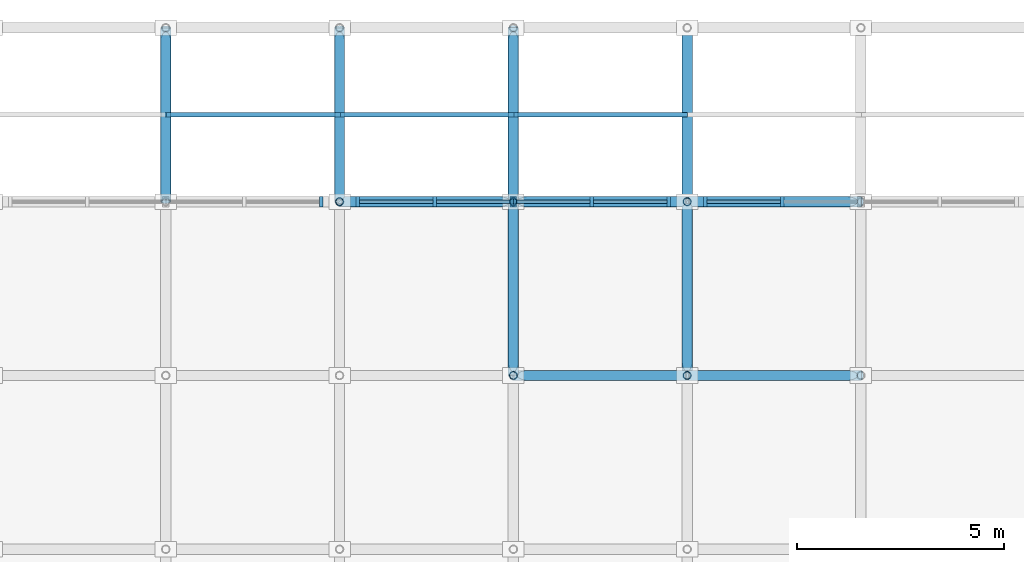
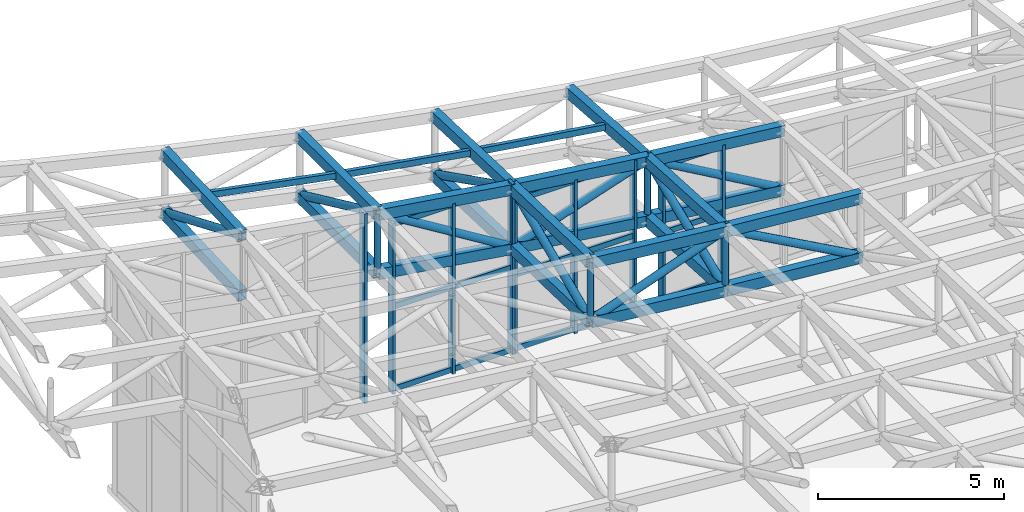
# One storey, part 34 of 111: 63 members, 4 elements without a shape of their own.
"""IFC4 building model written with IfcOpenShell, lengths in metres."""

from ifc_helpers import new_model, si_unit, direction, frame, origin, origin_2d, place, context, subcontext, project, spatial, rectangle, hollow_rectangle, hollow_circle, extrude, material, material_profile, profile_set, type_object, element, aggregate, save


model = new_model("IFC4")

# Units and contexts
model_context = context("Model", 3, precision=1e-05, world=origin(), true_north=direction((0.0, 1.0)))
body_context = subcontext(model_context, "Body", "Model", "MODEL_VIEW")
ifc_project = project(units=[si_unit("LENGTHUNIT", "METRE"), si_unit("AREAUNIT", "SQUARE_METRE"), si_unit("VOLUMEUNIT", "CUBIC_METRE"), si_unit("PLANEANGLEUNIT", "RADIAN"), si_unit("MASSUNIT", "GRAM", prefix="KILO")], contexts=[model_context])

# Site, building, storey
site_placement = place(None, origin())
site = spatial("IfcSite", under=ifc_project, at=site_placement, CompositionType="ELEMENT")
building_placement = place(site_placement, origin())
building = spatial("IfcBuilding", under=site, at=building_placement, Name="Cumbredor Promenade Congress Hotel", CompositionType="ELEMENT")
storey_placement = place(building_placement, frame((0.0, 0.0, 15.1201171875)))
storey = spatial("IfcBuildingStorey", under=building, at=storey_placement, Name="L04", CompositionType="ELEMENT", Elevation=15.1201171875)

# Curtain wall, member
ifc_material_1 = material(Name="Thermally broken anodized aluminium and low-E glass", Category="aluminium")
curtain_wall_type = type_object("IfcCurtainWallType", Name="Stepped Pavilion Clerestory Curtain Wall CW-06", PredefinedType="NOTDEFINED", material=ifc_material_1)
curtain_wall_1_placement = place(storey_placement, origin())
curtain_wall_1 = element("IfcCurtainWall", 1, at=curtain_wall_1_placement, inside=storey, type_object=curtain_wall_type, Name="Pre-Function and Breakout Meeting Forum N Glazed Clerestory 2", PredefinedType="NOTDEFINED")
ifc_material_2 = material(Name="Thermally broken anodized aluminium", Category="aluminium")
ifc_material_profile_1 = material_profile(ifc_material_2, rectangle(XDim=0.0849609375, YDim=0.260009765625, at=origin_2d()), Name="ALU MULLION CLERESTORY 85x260")
ifc_profile_set_1 = profile_set([ifc_material_profile_1], Name="Thermally broken anodized aluminium")
member_type_1 = type_object("IfcMemberType", Name="Curtain Wall Mullion ML-04", PredefinedType="MULLION", material=ifc_profile_set_1)
member_1_placement = place(storey_placement, frame((100.360107421875, 117.60009765625, -0.01806640625), z_axis=(0.0, 0.0, 1.0), x_axis=(1.0, 0.0, 0.0)))
member_1 = element("IfcMember", 2, at=member_1_placement, type_object=member_type_1, Name="Pre-Function and Breakout Meeting Forum N Glazed Clerestory 2 Mullion 3", PredefinedType="MULLION", context=body_context, shape_type="SweptSolid", body=[
    extrude(rectangle(XDim=0.0849609375, YDim=0.260009765625, at=origin_2d()), origin(), (0.0, 0.0, 1.0), 6.243896484375),
])
aggregate(curtain_wall_1, [member_1])

# Curtain wall, members
curtain_wall_2_placement = place(storey_placement, origin())
curtain_wall_2 = element("IfcCurtainWall", 3, at=curtain_wall_2_placement, inside=storey, type_object=curtain_wall_type, Name="Pre-Function and Breakout Meeting Forum N Glazed Clerestory 3", PredefinedType="NOTDEFINED")
member_2_placement = place(storey_placement, frame((101.239990234375, 117.60009765625, -0.01806640625), z_axis=(0.0, 0.0, 1.0), x_axis=(1.0, 0.0, 0.0)))
member_2 = element("IfcMember", 4, at=member_2_placement, type_object=member_type_1, Name="Pre-Function and Breakout Meeting Forum N Glazed Clerestory 3 Mullion 1", PredefinedType="MULLION", context=body_context, shape_type="SweptSolid", body=[
    extrude(rectangle(XDim=0.0849609375, YDim=0.260009765625, at=origin_2d()), origin(), (0.0, 0.0, 1.0), 5.6123046875),
])
member_3_placement = place(storey_placement, frame((103.10009765625, 117.60009765625, -0.01806640625), z_axis=(0.0, 0.0, 1.0), x_axis=(1.0, 0.0, 0.0)))
member_3 = element("IfcMember", 5, at=member_3_placement, type_object=member_type_1, Name="Pre-Function and Breakout Meeting Forum N Glazed Clerestory 3 Mullion 2", PredefinedType="MULLION", context=body_context, shape_type="SweptSolid", body=[
    extrude(rectangle(XDim=0.0849609375, YDim=0.260009765625, at=origin_2d()), origin(), (0.0, 0.0, 1.0), 5.6123046875),
])
member_4_placement = place(storey_placement, frame((104.9599609375, 117.60009765625, -0.01806640625), z_axis=(0.0, 0.0, 1.0), x_axis=(1.0, 0.0, 0.0)))
member_4 = element("IfcMember", 6, at=member_4_placement, type_object=member_type_1, Name="Pre-Function and Breakout Meeting Forum N Glazed Clerestory 3 Mullion 3", PredefinedType="MULLION", context=body_context, shape_type="SweptSolid", body=[
    extrude(rectangle(XDim=0.0849609375, YDim=0.260009765625, at=origin_2d()), origin(), (0.0, 0.0, 1.0), 5.6123046875),
])

curtain_wall_3_placement = place(storey_placement, origin())
curtain_wall_3 = element("IfcCurtainWall", 7, at=curtain_wall_3_placement, inside=storey, type_object=curtain_wall_type, Name="Pre-Function and Breakout Meeting Forum N Glazed Clerestory 4", PredefinedType="NOTDEFINED")
member_5_placement = place(storey_placement, frame((105.0400390625, 117.60009765625, -0.01806640625), z_axis=(0.0, 0.0, 1.0), x_axis=(1.0, 0.0, 0.0)))
member_5 = element("IfcMember", 8, at=member_5_placement, type_object=member_type_1, Name="Pre-Function and Breakout Meeting Forum N Glazed Clerestory 4 Mullion 1", PredefinedType="MULLION", context=body_context, shape_type="SweptSolid", body=[
    extrude(rectangle(XDim=0.0849609375, YDim=0.260009765625, at=origin_2d()), origin(), (0.0, 0.0, 1.0), 5.064453125),
])
member_6_placement = place(storey_placement, frame((106.89990234375, 117.60009765625, -0.01806640625), z_axis=(0.0, 0.0, 1.0), x_axis=(1.0, 0.0, 0.0)))
member_6 = element("IfcMember", 9, at=member_6_placement, type_object=member_type_1, Name="Pre-Function and Breakout Meeting Forum N Glazed Clerestory 4 Mullion 2", PredefinedType="MULLION", context=body_context, shape_type="SweptSolid", body=[
    extrude(rectangle(XDim=0.0849609375, YDim=0.260009765625, at=origin_2d()), origin(), (0.0, 0.0, 1.0), 5.064453125),
])
member_7_placement = place(storey_placement, frame((108.760009765625, 117.60009765625, -0.01806640625), z_axis=(0.0, 0.0, 1.0), x_axis=(1.0, 0.0, 0.0)))
member_7 = element("IfcMember", 10, at=member_7_placement, type_object=member_type_1, Name="Pre-Function and Breakout Meeting Forum N Glazed Clerestory 4 Mullion 3", PredefinedType="MULLION", context=body_context, shape_type="SweptSolid", body=[
    extrude(rectangle(XDim=0.0849609375, YDim=0.260009765625, at=origin_2d()), origin(), (0.0, 0.0, 1.0), 5.064453125),
])

curtain_wall_4_placement = place(storey_placement, origin())
curtain_wall_4 = element("IfcCurtainWall", 11, at=curtain_wall_4_placement, inside=storey, type_object=curtain_wall_type, Name="Pre-Function and Breakout Meeting Forum N Glazed Clerestory 5", PredefinedType="NOTDEFINED")
member_8_placement = place(storey_placement, frame((109.639892578125, 117.60009765625, -0.01806640625), z_axis=(0.0, 0.0, 1.0), x_axis=(1.0, 0.0, 0.0)))
member_8 = element("IfcMember", 12, at=member_8_placement, type_object=member_type_1, Name="Pre-Function and Breakout Meeting Forum N Glazed Clerestory 5 Mullion 1", PredefinedType="MULLION", context=body_context, shape_type="SweptSolid", body=[
    extrude(rectangle(XDim=0.0849609375, YDim=0.260009765625, at=origin_2d()), origin(), (0.0, 0.0, 1.0), 4.600830078125),
])
member_9_placement = place(storey_placement, frame((111.5, 117.60009765625, -0.01806640625), z_axis=(0.0, 0.0, 1.0), x_axis=(1.0, 0.0, 0.0)))
member_9 = element("IfcMember", 13, at=member_9_placement, type_object=member_type_1, Name="Pre-Function and Breakout Meeting Forum N Glazed Clerestory 5 Mullion 2", PredefinedType="MULLION", context=body_context, shape_type="SweptSolid", body=[
    extrude(rectangle(XDim=0.0849609375, YDim=0.260009765625, at=origin_2d()), origin(), (0.0, 0.0, 1.0), 4.600830078125),
])

# Member
ifc_material_profile_2 = material_profile(ifc_material_2, rectangle(XDim=0.080078125, YDim=0.179931640625, at=origin_2d()), Name="ALU TRANSOM 80x180")
ifc_profile_set_2 = profile_set([ifc_material_profile_2], Name="Thermally broken anodized aluminium")
member_type_2 = type_object("IfcMemberType", Name="Curtain Wall Transom TR-03", PredefinedType="USERDEFINED", material=ifc_profile_set_2)
member_10_placement = place(storey_placement, frame((101.282470703125, 117.60009765625, 0.079833984375), z_axis=(1.0, 0.0, 0.0), x_axis=(0.0, 1.0, 0.0)))
member_10 = element("IfcMember", 14, at=member_10_placement, type_object=member_type_2, Name="Pre-Function and Breakout Meeting Forum N Glazed Clerestory 3 Transom 1.1", ObjectType="TRANSOM", PredefinedType="USERDEFINED", context=body_context, shape_type="SweptSolid", body=[
    extrude(rectangle(XDim=0.080078125, YDim=0.179931640625, at=origin_2d()), origin(), (0.0, 0.0, 1.0), 1.775146484375),
])

member_11_placement = place(storey_placement, frame((101.282470703125, 117.60009765625, 2.789794921875), z_axis=(1.0, 0.0, 0.0), x_axis=(0.0, 1.0, 0.0)))
member_11 = element("IfcMember", 15, at=member_11_placement, type_object=member_type_2, Name="Pre-Function and Breakout Meeting Forum N Glazed Clerestory 3 Transom 1.2", ObjectType="TRANSOM", PredefinedType="USERDEFINED", context=body_context, shape_type="SweptSolid", body=[
    extrude(rectangle(XDim=0.080078125, YDim=0.179931640625, at=origin_2d()), origin(), (0.0, 0.0, 1.0), 1.775146484375),
])

member_12_placement = place(storey_placement, frame((101.282470703125, 117.60009765625, 5.5), z_axis=(1.0, 0.0, 0.0), x_axis=(0.0, 1.0, 0.0)))
member_12 = element("IfcMember", 16, at=member_12_placement, type_object=member_type_2, Name="Pre-Function and Breakout Meeting Forum N Glazed Clerestory 3 Transom 1.3", ObjectType="TRANSOM", PredefinedType="USERDEFINED", context=body_context, shape_type="SweptSolid", body=[
    extrude(rectangle(XDim=0.080078125, YDim=0.179931640625, at=origin_2d()), origin(), (0.0, 0.0, 1.0), 1.775146484375),
])

member_13_placement = place(storey_placement, frame((103.142578125, 117.60009765625, 0.079833984375), z_axis=(1.0, 0.0, 0.0), x_axis=(0.0, 1.0, 0.0)))
member_13 = element("IfcMember", 17, at=member_13_placement, type_object=member_type_2, Name="Pre-Function and Breakout Meeting Forum N Glazed Clerestory 3 Transom 2.1", ObjectType="TRANSOM", PredefinedType="USERDEFINED", context=body_context, shape_type="SweptSolid", body=[
    extrude(rectangle(XDim=0.080078125, YDim=0.179931640625, at=origin_2d()), origin(), (0.0, 0.0, 1.0), 1.77490234375),
])

member_14_placement = place(storey_placement, frame((103.142578125, 117.60009765625, 2.789794921875), z_axis=(1.0, 0.0, 0.0), x_axis=(0.0, 1.0, 0.0)))
member_14 = element("IfcMember", 18, at=member_14_placement, type_object=member_type_2, Name="Pre-Function and Breakout Meeting Forum N Glazed Clerestory 3 Transom 2.2", ObjectType="TRANSOM", PredefinedType="USERDEFINED", context=body_context, shape_type="SweptSolid", body=[
    extrude(rectangle(XDim=0.080078125, YDim=0.179931640625, at=origin_2d()), origin(), (0.0, 0.0, 1.0), 1.77490234375),
])

member_15_placement = place(storey_placement, frame((103.142578125, 117.60009765625, 5.5), z_axis=(1.0, 0.0, 0.0), x_axis=(0.0, 1.0, 0.0)))
member_15 = element("IfcMember", 19, at=member_15_placement, type_object=member_type_2, Name="Pre-Function and Breakout Meeting Forum N Glazed Clerestory 3 Transom 2.3", ObjectType="TRANSOM", PredefinedType="USERDEFINED", context=body_context, shape_type="SweptSolid", body=[
    extrude(rectangle(XDim=0.080078125, YDim=0.179931640625, at=origin_2d()), origin(), (0.0, 0.0, 1.0), 1.77490234375),
])

aggregate(curtain_wall_2, [member_2, member_3, member_4, member_10, member_11, member_12, member_13, member_14, member_15])

member_16_placement = place(storey_placement, frame((105.08251953125, 117.60009765625, 0.079833984375), z_axis=(1.0, 0.0, 0.0), x_axis=(0.0, 1.0, 0.0)))
member_16 = element("IfcMember", 20, at=member_16_placement, type_object=member_type_2, Name="Pre-Function and Breakout Meeting Forum N Glazed Clerestory 4 Transom 1.1", ObjectType="TRANSOM", PredefinedType="USERDEFINED", context=body_context, shape_type="SweptSolid", body=[
    extrude(rectangle(XDim=0.080078125, YDim=0.179931640625, at=origin_2d()), origin(), (0.0, 0.0, 1.0), 1.77490234375),
])

member_17_placement = place(storey_placement, frame((105.08251953125, 117.60009765625, 2.509765625), z_axis=(1.0, 0.0, 0.0), x_axis=(0.0, 1.0, 0.0)))
member_17 = element("IfcMember", 21, at=member_17_placement, type_object=member_type_2, Name="Pre-Function and Breakout Meeting Forum N Glazed Clerestory 4 Transom 1.2", ObjectType="TRANSOM", PredefinedType="USERDEFINED", context=body_context, shape_type="SweptSolid", body=[
    extrude(rectangle(XDim=0.080078125, YDim=0.179931640625, at=origin_2d()), origin(), (0.0, 0.0, 1.0), 1.77490234375),
])

member_18_placement = place(storey_placement, frame((105.08251953125, 117.60009765625, 4.949951171875), z_axis=(1.0, 0.0, 0.0), x_axis=(0.0, 1.0, 0.0)))
member_18 = element("IfcMember", 22, at=member_18_placement, type_object=member_type_2, Name="Pre-Function and Breakout Meeting Forum N Glazed Clerestory 4 Transom 1.3", ObjectType="TRANSOM", PredefinedType="USERDEFINED", context=body_context, shape_type="SweptSolid", body=[
    extrude(rectangle(XDim=0.080078125, YDim=0.179931640625, at=origin_2d()), origin(), (0.0, 0.0, 1.0), 1.77490234375),
])

member_19_placement = place(storey_placement, frame((106.9423828125, 117.60009765625, 0.079833984375), z_axis=(1.0, 0.0, 0.0), x_axis=(0.0, 1.0, 0.0)))
member_19 = element("IfcMember", 23, at=member_19_placement, type_object=member_type_2, Name="Pre-Function and Breakout Meeting Forum N Glazed Clerestory 4 Transom 2.1", ObjectType="TRANSOM", PredefinedType="USERDEFINED", context=body_context, shape_type="SweptSolid", body=[
    extrude(rectangle(XDim=0.080078125, YDim=0.179931640625, at=origin_2d()), origin(), (0.0, 0.0, 1.0), 1.775146484375),
])

member_20_placement = place(storey_placement, frame((106.9423828125, 117.60009765625, 2.509765625), z_axis=(1.0, 0.0, 0.0), x_axis=(0.0, 1.0, 0.0)))
member_20 = element("IfcMember", 24, at=member_20_placement, type_object=member_type_2, Name="Pre-Function and Breakout Meeting Forum N Glazed Clerestory 4 Transom 2.2", ObjectType="TRANSOM", PredefinedType="USERDEFINED", context=body_context, shape_type="SweptSolid", body=[
    extrude(rectangle(XDim=0.080078125, YDim=0.179931640625, at=origin_2d()), origin(), (0.0, 0.0, 1.0), 1.775146484375),
])

member_21_placement = place(storey_placement, frame((106.9423828125, 117.60009765625, 4.949951171875), z_axis=(1.0, 0.0, 0.0), x_axis=(0.0, 1.0, 0.0)))
member_21 = element("IfcMember", 25, at=member_21_placement, type_object=member_type_2, Name="Pre-Function and Breakout Meeting Forum N Glazed Clerestory 4 Transom 2.3", ObjectType="TRANSOM", PredefinedType="USERDEFINED", context=body_context, shape_type="SweptSolid", body=[
    extrude(rectangle(XDim=0.080078125, YDim=0.179931640625, at=origin_2d()), origin(), (0.0, 0.0, 1.0), 1.775146484375),
])

aggregate(curtain_wall_3, [member_5, member_6, member_7, member_16, member_17, member_18, member_19, member_20, member_21])

member_22_placement = place(storey_placement, frame((109.6826171875, 117.60009765625, 0.079833984375), z_axis=(1.0, 0.0, 0.0), x_axis=(0.0, 1.0, 0.0)))
member_22 = element("IfcMember", 26, at=member_22_placement, type_object=member_type_2, Name="Pre-Function and Breakout Meeting Forum N Glazed Clerestory 5 Transom 1.1", ObjectType="TRANSOM", PredefinedType="USERDEFINED", context=body_context, shape_type="SweptSolid", body=[
    extrude(rectangle(XDim=0.080078125, YDim=0.179931640625, at=origin_2d()), origin(), (0.0, 0.0, 1.0), 1.77490234375),
])

member_23_placement = place(storey_placement, frame((109.6826171875, 117.60009765625, 2.27978515625), z_axis=(1.0, 0.0, 0.0), x_axis=(0.0, 1.0, 0.0)))
member_23 = element("IfcMember", 27, at=member_23_placement, type_object=member_type_2, Name="Pre-Function and Breakout Meeting Forum N Glazed Clerestory 5 Transom 1.2", ObjectType="TRANSOM", PredefinedType="USERDEFINED", context=body_context, shape_type="SweptSolid", body=[
    extrude(rectangle(XDim=0.080078125, YDim=0.179931640625, at=origin_2d()), origin(), (0.0, 0.0, 1.0), 1.77490234375),
])

member_24_placement = place(storey_placement, frame((109.6826171875, 117.60009765625, 4.47998046875), z_axis=(1.0, 0.0, 0.0), x_axis=(0.0, 1.0, 0.0)))
member_24 = element("IfcMember", 28, at=member_24_placement, type_object=member_type_2, Name="Pre-Function and Breakout Meeting Forum N Glazed Clerestory 5 Transom 1.3", ObjectType="TRANSOM", PredefinedType="USERDEFINED", context=body_context, shape_type="SweptSolid", body=[
    extrude(rectangle(XDim=0.080078125, YDim=0.179931640625, at=origin_2d()), origin(), (0.0, 0.0, 1.0), 1.77490234375),
])

aggregate(curtain_wall_4, [member_8, member_9, member_22, member_23, member_24])

# Members
ifc_material_3 = material(Name="Steel ASTM A500 Grade C", Category="steel")
ifc_material_profile_3 = material_profile(ifc_material_3, hollow_rectangle(XDim=0.25, YDim=0.35009765625, WallThickness=0.01611328125, at=origin_2d()), Name="HSS 350x250x16")
ifc_profile_set_3 = profile_set([ifc_material_profile_3], Name="Steel ASTM A500 Grade C")
member_type_3 = type_object("IfcMemberType", Name="Forum Roof Truss Chord", PredefinedType="CHORD", material=ifc_profile_set_3)
for number, where, z_axis, x_axis, name in (
    (29, (105.0, 113.39990234375, 5.518798828125), (0.994564532664, 0.0, -0.104121997519), (0.0, 1.0, 0.0), "Pre-Function and Breakout Meeting Forum X Top Chord 5.9"),
    (30, (105.0, 113.39990234375, 3.568603515625), (0.994564532664, 0.0, -0.104121997519), (0.0, 1.0, 0.0), "Pre-Function and Breakout Meeting Forum X Bottom Chord 5.9"),
):
    element("IfcMember", number, at=place(storey_placement, frame(where, z_axis=z_axis, x_axis=x_axis)), inside=storey, type_object=member_type_3, Name=name, PredefinedType="CHORD", context=body_context, shape_type="SweptSolid", body=[
        extrude(hollow_rectangle(XDim=0.25, YDim=0.35009765625, WallThickness=0.01611328125, at=origin_2d()), origin(), (0.0, 0.0, 1.0), 4.222900390625),
    ])
for number, where, z_axis, x_axis, name in (
    (31, (109.199951171875, 113.39990234375, 5.0791015625), (0.996093832538, 0.0, -0.088301057642), (0.0, 1.0, 0.0), "Pre-Function and Breakout Meeting Forum X Top Chord 6.9"),
    (32, (109.199951171875, 113.39990234375, 3.12890625), (0.996098923772, 0.0, -0.088243606338), (0.0, 1.0, 0.0), "Pre-Function and Breakout Meeting Forum X Bottom Chord 6.9"),
):
    element("IfcMember", number, at=place(storey_placement, frame(where, z_axis=z_axis, x_axis=x_axis)), inside=storey, type_object=member_type_3, Name=name, PredefinedType="CHORD", context=body_context, shape_type="SweptSolid", body=[
        extrude(hollow_rectangle(XDim=0.25, YDim=0.35009765625, WallThickness=0.01611328125, at=origin_2d()), origin(), (0.0, 0.0, 1.0), 4.21630859375),
    ])
member_25_placement = place(storey_placement, frame((100.800048828125, 117.60009765625, 6.02490234375), z_axis=(0.988872595274, 0.0, -0.14876488267), x_axis=(0.0, 1.0, 0.0)))
element("IfcMember", 33, at=member_25_placement, inside=storey, type_object=member_type_3, Name="Pre-Function and Breakout Meeting Forum X Top Chord 4.10", PredefinedType="CHORD", context=body_context, shape_type="SweptSolid", body=[
    extrude(hollow_rectangle(XDim=0.25, YDim=0.35009765625, WallThickness=0.01611328125, at=origin_2d()), origin(), (0.0, 0.0, 1.0), 4.247314453125),
])
member_26_placement = place(storey_placement, frame((100.800048828125, 117.60009765625, 4.07470703125), z_axis=(0.988881049981, 0.0, -0.148708671528), x_axis=(0.0, 1.0, 0.0)))
element("IfcMember", 34, at=member_26_placement, inside=storey, type_object=member_type_3, Name="Pre-Function and Breakout Meeting Forum X Bottom Chord 4.10", PredefinedType="CHORD", context=body_context, shape_type="SweptSolid", body=[
    extrude(hollow_rectangle(XDim=0.25, YDim=0.35009765625, WallThickness=0.01611328125, at=origin_2d()), origin(), (0.0, 0.0, 1.0), 4.2470703125),
])
for number, where, z_axis, x_axis, name in (
    (35, (105.0, 117.60009765625, 5.39306640625), (0.991606838382, 0.0, -0.129289899348), (0.0, 1.0, 0.0), "Pre-Function and Breakout Meeting Forum X Top Chord 5.10"),
    (36, (105.0, 117.60009765625, 3.443115234375), (0.991599446903, 0.0, -0.129346576693), (0.0, 1.0, 0.0), "Pre-Function and Breakout Meeting Forum X Bottom Chord 5.10"),
):
    element("IfcMember", number, at=place(storey_placement, frame(where, z_axis=z_axis, x_axis=x_axis)), inside=storey, type_object=member_type_3, Name=name, PredefinedType="CHORD", context=body_context, shape_type="SweptSolid", body=[
        extrude(hollow_rectangle(XDim=0.25, YDim=0.35009765625, WallThickness=0.01611328125, at=origin_2d()), origin(), (0.0, 0.0, 1.0), 4.235595703125),
    ])
for number, where, z_axis, x_axis, name in (
    (37, (109.199951171875, 117.60009765625, 4.845458984375), (0.993962397778, 0.0, -0.109721245909), (0.0, 1.0, 0.0), "Pre-Function and Breakout Meeting Forum X Top Chord 6.10"),
    (38, (109.199951171875, 117.60009765625, 2.895263671875), (0.993968697425, 0.0, -0.109664162513), (0.0, 1.0, 0.0), "Pre-Function and Breakout Meeting Forum X Bottom Chord 6.10"),
):
    element("IfcMember", number, at=place(storey_placement, frame(where, z_axis=z_axis, x_axis=x_axis)), inside=storey, type_object=member_type_3, Name=name, PredefinedType="CHORD", context=body_context, shape_type="SweptSolid", body=[
        extrude(hollow_rectangle(XDim=0.25, YDim=0.35009765625, WallThickness=0.01611328125, at=origin_2d()), origin(), (0.0, 0.0, 1.0), 4.225341796875),
    ])
for number, where, z_axis, x_axis, name in (
    (39, (96.60009765625, 117.60009765625, 6.740234375), (0.0, 0.99904594053, 0.043671600725), (-1.0, 0.0, 0.0), "Pre-Function and Breakout Meeting Forum Y Top Chord 3.10"),
    (40, (96.60009765625, 117.60009765625, 4.790283203125), (0.0, 0.99904594053, 0.043671600725), (-1.0, 0.0, 0.0), "Pre-Function and Breakout Meeting Forum Y Bottom Chord 3.10"),
):
    element("IfcMember", number, at=place(storey_placement, frame(where, z_axis=z_axis, x_axis=x_axis)), inside=storey, type_object=member_type_3, Name=name, PredefinedType="CHORD", context=body_context, shape_type="SweptSolid", body=[
        extrude(hollow_rectangle(XDim=0.25, YDim=0.35009765625, WallThickness=0.01611328125, at=origin_2d()), origin(), (0.0, 0.0, 1.0), 4.203857421875),
    ])
for number, where, z_axis, x_axis, name in (
    (41, (100.800048828125, 117.60009765625, 6.02490234375), (0.0, 0.999999939178, 0.000348776355), (-1.0, 0.0, 0.0), "Pre-Function and Breakout Meeting Forum Y Top Chord 4.10"),
    (42, (100.800048828125, 117.60009765625, 4.07470703125), (0.0, 0.999999939178, 0.000348776355), (-1.0, 0.0, 0.0), "Pre-Function and Breakout Meeting Forum Y Bottom Chord 4.10"),
):
    element("IfcMember", number, at=place(storey_placement, frame(where, z_axis=z_axis, x_axis=x_axis)), inside=storey, type_object=member_type_3, Name=name, PredefinedType="CHORD", context=body_context, shape_type="SweptSolid", body=[
        extrude(hollow_rectangle(XDim=0.25, YDim=0.35009765625, WallThickness=0.01611328125, at=origin_2d()), origin(), (0.0, 0.0, 1.0), 4.199951171875),
    ])
for number, where, z_axis, x_axis, name in (
    (43, (105.0, 113.39990234375, 5.518798828125), (0.0, 0.999552251812, -0.029921495564), (-1.0, 0.0, 0.0), "Pre-Function and Breakout Meeting Forum Y Top Chord 5.9"),
    (44, (105.0, 113.39990234375, 3.568603515625), (0.0, 0.99955398779, -0.029863447438), (-1.0, 0.0, 0.0), "Pre-Function and Breakout Meeting Forum Y Bottom Chord 5.9"),
):
    element("IfcMember", number, at=place(storey_placement, frame(where, z_axis=z_axis, x_axis=x_axis)), inside=storey, type_object=member_type_3, Name=name, PredefinedType="CHORD", context=body_context, shape_type="SweptSolid", body=[
        extrude(hollow_rectangle(XDim=0.25, YDim=0.35009765625, WallThickness=0.01611328125, at=origin_2d()), origin(), (0.0, 0.0, 1.0), 4.2021484375),
    ])
for number, where, z_axis, x_axis, name in (
    (45, (105.0, 117.60009765625, 5.39306640625), (0.0, 0.999282553953, -0.037873174747), (-1.0, 0.0, 0.0), "Pre-Function and Breakout Meeting Forum Y Top Chord 5.10"),
    (46, (105.0, 117.60009765625, 3.443115234375), (0.0, 0.999282553953, -0.037873174747), (-1.0, 0.0, 0.0), "Pre-Function and Breakout Meeting Forum Y Bottom Chord 5.10"),
):
    element("IfcMember", number, at=place(storey_placement, frame(where, z_axis=z_axis, x_axis=x_axis)), inside=storey, type_object=member_type_3, Name=name, PredefinedType="CHORD", context=body_context, shape_type="SweptSolid", body=[
        extrude(hollow_rectangle(XDim=0.25, YDim=0.35009765625, WallThickness=0.01611328125, at=origin_2d()), origin(), (0.0, 0.0, 1.0), 4.202880859375),
    ])
for number, where, z_axis, x_axis, name in (
    (47, (109.199951171875, 113.39990234375, 5.0791015625), (0.0, 0.998456422091, -0.055540734477), (-1.0, 0.0, 0.0), "Pre-Function and Breakout Meeting Forum Y Top Chord 6.9"),
    (48, (109.199951171875, 113.39990234375, 3.12890625), (0.0, 0.998456422091, -0.055540734477), (-1.0, 0.0, 0.0), "Pre-Function and Breakout Meeting Forum Y Bottom Chord 6.9"),
):
    element("IfcMember", number, at=place(storey_placement, frame(where, z_axis=z_axis, x_axis=x_axis)), inside=storey, type_object=member_type_3, Name=name, PredefinedType="CHORD", context=body_context, shape_type="SweptSolid", body=[
        extrude(hollow_rectangle(XDim=0.25, YDim=0.35009765625, WallThickness=0.01611328125, at=origin_2d()), origin(), (0.0, 0.0, 1.0), 4.206787109375),
    ])
member_27_placement = place(storey_placement, frame((109.199951171875, 117.60009765625, 4.845458984375), z_axis=(0.0, 0.997482484736, -0.070913275524), x_axis=(-1.0, 0.0, 0.0)))
element("IfcMember", 49, at=member_27_placement, inside=storey, type_object=member_type_3, Name="Pre-Function and Breakout Meeting Forum Y Top Chord 6.10", PredefinedType="CHORD", context=body_context, shape_type="SweptSolid", body=[
    extrude(hollow_rectangle(XDim=0.25, YDim=0.35009765625, WallThickness=0.01611328125, at=origin_2d()), origin(), (0.0, 0.0, 1.0), 4.21044921875),
])
ifc_material_profile_4 = material_profile(ifc_material_3, hollow_rectangle(XDim=0.1201171875, YDim=0.199951171875, WallThickness=0.010009765625, at=origin_2d()), Name="HSS 200x120x10")
ifc_profile_set_4 = profile_set([ifc_material_profile_4], Name="Steel ASTM A500 Grade C")
member_type_4 = type_object("IfcMemberType", Name="Roof Purlin HSS200x120", PredefinedType="PURLIN", material=ifc_profile_set_4)
member_28_placement = place(storey_placement, frame((96.60009765625, 119.699951171875, 6.81201171875), z_axis=(0.982062187843, 0.0, -0.188557310146), x_axis=(0.0, 1.0, 0.0)))
element("IfcMember", 50, at=member_28_placement, inside=storey, type_object=member_type_4, Name="Pre-Function and Breakout Meeting Forum Roof Eave Purlin 3.10", PredefinedType="PURLIN", context=body_context, shape_type="SweptSolid", body=[
    extrude(hollow_rectangle(XDim=0.1201171875, YDim=0.199951171875, WallThickness=0.010009765625, at=origin_2d()), origin(), (0.0, 0.0, 1.0), 4.276611328125),
])
member_29_placement = place(storey_placement, frame((100.800048828125, 119.699951171875, 6.005615234375), z_axis=(0.985936316925, 0.0, -0.167121449756), x_axis=(0.0, 1.0, 0.0)))
element("IfcMember", 51, at=member_29_placement, inside=storey, type_object=member_type_4, Name="Pre-Function and Breakout Meeting Forum Roof Eave Purlin 4.10", PredefinedType="PURLIN", context=body_context, shape_type="SweptSolid", body=[
    extrude(hollow_rectangle(XDim=0.1201171875, YDim=0.199951171875, WallThickness=0.010009765625, at=origin_2d()), origin(), (0.0, 0.0, 1.0), 4.259765625),
])
member_30_placement = place(storey_placement, frame((105.0, 119.699951171875, 5.293701171875), z_axis=(0.989366195277, 0.0, -0.145445974996), x_axis=(0.0, 1.0, 0.0)))
element("IfcMember", 52, at=member_30_placement, inside=storey, type_object=member_type_4, Name="Pre-Function and Breakout Meeting Forum Roof Eave Purlin 5.10", PredefinedType="PURLIN", context=body_context, shape_type="SweptSolid", body=[
    extrude(hollow_rectangle(XDim=0.1201171875, YDim=0.199951171875, WallThickness=0.010009765625, at=origin_2d()), origin(), (0.0, 0.0, 1.0), 4.2451171875),
])
ifc_material_profile_5 = material_profile(ifc_material_3, hollow_circle(Radius=0.122314453125, WallThickness=0.012451171875, at=origin_2d()), Name="CHS 244.5x12.5")
ifc_profile_set_5 = profile_set([ifc_material_profile_5], Name="Steel ASTM A500 Grade C")
member_type_5 = type_object("IfcMemberType", Name="Space Frame Web Diagonal D2", PredefinedType="BRACE", material=ifc_profile_set_5)
member_31_placement = place(storey_placement, frame((105.0, 113.39990234375, 3.568603515625), z_axis=(0.94099335553, 0.0, 0.338425035788), x_axis=(0.0, 1.0, 0.0)))
element("IfcMember", 53, at=member_31_placement, inside=storey, type_object=member_type_5, Name="Pre-Function and Breakout Meeting Forum X Web Diagonal 5.9", PredefinedType="BRACE", context=body_context, shape_type="SweptSolid", body=[
    extrude(hollow_circle(Radius=0.122314453125, WallThickness=0.012451171875, at=origin_2d()), origin(), (0.0, 0.0, 1.0), 4.46337890625),
])
member_32_placement = place(storey_placement, frame((109.199951171875, 113.39990234375, 5.0791015625), z_axis=(0.875132133873, 0.0, -0.483884023566), x_axis=(0.0, 1.0, 0.0)))
element("IfcMember", 54, at=member_32_placement, inside=storey, type_object=member_type_5, Name="Pre-Function and Breakout Meeting Forum X Web Diagonal 6.9", PredefinedType="BRACE", context=body_context, shape_type="SweptSolid", body=[
    extrude(hollow_circle(Radius=0.122314453125, WallThickness=0.012451171875, at=origin_2d()), origin(), (0.0, 0.0, 1.0), 4.79931640625),
])
member_33_placement = place(storey_placement, frame((100.800048828125, 117.60009765625, 6.02490234375), z_axis=(0.851911561222, 0.0, -0.5236856804), x_axis=(0.0, 1.0, 0.0)))
element("IfcMember", 55, at=member_33_placement, inside=storey, type_object=member_type_5, Name="Pre-Function and Breakout Meeting Forum X Web Diagonal 4.10", PredefinedType="BRACE", context=body_context, shape_type="SweptSolid", body=[
    extrude(hollow_circle(Radius=0.122314453125, WallThickness=0.012451171875, at=origin_2d()), origin(), (0.0, 0.0, 1.0), 4.929931640625),
])
member_34_placement = place(storey_placement, frame((105.0, 117.60009765625, 3.443115234375), z_axis=(0.948523279227, 0.0, 0.316707418234), x_axis=(0.0, 1.0, 0.0)))
element("IfcMember", 56, at=member_34_placement, inside=storey, type_object=member_type_5, Name="Pre-Function and Breakout Meeting Forum X Web Diagonal 5.10", PredefinedType="BRACE", context=body_context, shape_type="SweptSolid", body=[
    extrude(hollow_circle(Radius=0.122314453125, WallThickness=0.012451171875, at=origin_2d()), origin(), (0.0, 0.0, 1.0), 4.427978515625),
])
member_35_placement = place(storey_placement, frame((109.199951171875, 117.60009765625, 4.845458984375), z_axis=(0.867030962047, 0.0, -0.498254263256), x_axis=(0.0, 1.0, 0.0)))
element("IfcMember", 57, at=member_35_placement, inside=storey, type_object=member_type_5, Name="Pre-Function and Breakout Meeting Forum X Web Diagonal 6.10", PredefinedType="BRACE", context=body_context, shape_type="SweptSolid", body=[
    extrude(hollow_circle(Radius=0.122314453125, WallThickness=0.012451171875, at=origin_2d()), origin(), (0.0, 0.0, 1.0), 4.843994140625),
])
member_36_placement = place(storey_placement, frame((96.60009765625, 117.60009765625, 6.740234375), z_axis=(0.0, 0.921795668475, -0.387676083324), x_axis=(-1.0, 0.0, 0.0)))
element("IfcMember", 58, at=member_36_placement, inside=storey, type_object=member_type_5, Name="Pre-Function and Breakout Meeting Forum Y Web Diagonal 3.10", PredefinedType="BRACE", context=body_context, shape_type="SweptSolid", body=[
    extrude(hollow_circle(Radius=0.122314453125, WallThickness=0.012451171875, at=origin_2d()), origin(), (0.0, 0.0, 1.0), 4.55615234375),
])
member_37_placement = place(storey_placement, frame((100.800048828125, 117.60009765625, 6.02490234375), z_axis=(0.0, 0.907111799886, -0.420889751014), x_axis=(-1.0, 0.0, 0.0)))
element("IfcMember", 59, at=member_37_placement, inside=storey, type_object=member_type_5, Name="Pre-Function and Breakout Meeting Forum Y Web Diagonal 4.10", PredefinedType="BRACE", context=body_context, shape_type="SweptSolid", body=[
    extrude(hollow_circle(Radius=0.122314453125, WallThickness=0.012451171875, at=origin_2d()), origin(), (0.0, 0.0, 1.0), 4.630126953125),
])
member_38_placement = place(storey_placement, frame((105.0, 113.39990234375, 3.568603515625), z_axis=(0.0, 0.917206464912, 0.398412224616), x_axis=(-1.0, 0.0, 0.0)))
element("IfcMember", 60, at=member_38_placement, inside=storey, type_object=member_type_5, Name="Pre-Function and Breakout Meeting Forum Y Web Diagonal 5.9", PredefinedType="BRACE", context=body_context, shape_type="SweptSolid", body=[
    extrude(hollow_circle(Radius=0.122314453125, WallThickness=0.012451171875, at=origin_2d()), origin(), (0.0, 0.0, 1.0), 4.579345703125),
])
member_39_placement = place(storey_placement, frame((105.0, 117.60009765625, 5.39306640625), z_axis=(0.0, 0.89364662626, -0.448771330829), x_axis=(-1.0, 0.0, 0.0)))
element("IfcMember", 61, at=member_39_placement, inside=storey, type_object=member_type_5, Name="Pre-Function and Breakout Meeting Forum Y Web Diagonal 5.10", PredefinedType="BRACE", context=body_context, shape_type="SweptSolid", body=[
    extrude(hollow_circle(Radius=0.122314453125, WallThickness=0.012451171875, at=origin_2d()), origin(), (0.0, 0.0, 1.0), 4.69970703125),
])
member_40_placement = place(storey_placement, frame((109.199951171875, 113.39990234375, 3.12890625), z_axis=(0.0, 0.925678891391, 0.378310177015), x_axis=(-1.0, 0.0, 0.0)))
element("IfcMember", 62, at=member_40_placement, inside=storey, type_object=member_type_5, Name="Pre-Function and Breakout Meeting Forum Y Web Diagonal 6.9", PredefinedType="BRACE", context=body_context, shape_type="SweptSolid", body=[
    extrude(hollow_circle(Radius=0.122314453125, WallThickness=0.012451171875, at=origin_2d()), origin(), (0.0, 0.0, 1.0), 4.537353515625),
])
ifc_material_profile_6 = material_profile(ifc_material_3, hollow_circle(Radius=0.096923828125, WallThickness=0.010009765625, at=origin_2d()), Name="CHS 193.7x10")
ifc_profile_set_6 = profile_set([ifc_material_profile_6], Name="Steel ASTM A500 Grade C")
member_type_6 = type_object("IfcMemberType", Name="Space Frame Web Post P1", PredefinedType="BRACE", material=ifc_profile_set_6)
for number, where, z_axis, x_axis, name in (
    (63, (100.800048828125, 117.60009765625, 4.07470703125), (0.0, 0.0, 1.0), (1.0, 0.0, 0.0), "Pre-Function and Breakout Meeting Forum Space Frame Web Post 4.10"),
    (64, (105.0, 113.39990234375, 3.568603515625), (0.0, 0.0, 1.0), (1.0, 0.0, 0.0), "Pre-Function and Breakout Meeting Forum Space Frame Web Post 5.9"),
):
    element("IfcMember", number, at=place(storey_placement, frame(where, z_axis=z_axis, x_axis=x_axis)), inside=storey, type_object=member_type_6, Name=name, PredefinedType="BRACE", context=body_context, shape_type="SweptSolid", body=[
        extrude(hollow_circle(Radius=0.096923828125, WallThickness=0.010009765625, at=origin_2d()), origin(), (0.0, 0.0, 1.0), 1.9501953125),
    ])
member_41_placement = place(storey_placement, frame((105.0, 117.60009765625, 3.443115234375), z_axis=(0.0, 0.0, 1.0), x_axis=(1.0, 0.0, 0.0)))
element("IfcMember", 65, at=member_41_placement, inside=storey, type_object=member_type_6, Name="Pre-Function and Breakout Meeting Forum Space Frame Web Post 5.10", PredefinedType="BRACE", context=body_context, shape_type="SweptSolid", body=[
    extrude(hollow_circle(Radius=0.096923828125, WallThickness=0.010009765625, at=origin_2d()), origin(), (0.0, 0.0, 1.0), 1.949951171875),
])
for number, where, z_axis, x_axis, name in (
    (66, (109.199951171875, 113.39990234375, 3.12890625), (0.0, 0.0, 1.0), (1.0, 0.0, 0.0), "Pre-Function and Breakout Meeting Forum Space Frame Web Post 6.9"),
    (67, (109.199951171875, 117.60009765625, 2.895263671875), (0.0, 0.0, 1.0), (1.0, 0.0, 0.0), "Pre-Function and Breakout Meeting Forum Space Frame Web Post 6.10"),
):
    element("IfcMember", number, at=place(storey_placement, frame(where, z_axis=z_axis, x_axis=x_axis)), inside=storey, type_object=member_type_6, Name=name, PredefinedType="BRACE", context=body_context, shape_type="SweptSolid", body=[
        extrude(hollow_circle(Radius=0.096923828125, WallThickness=0.010009765625, at=origin_2d()), origin(), (0.0, 0.0, 1.0), 1.9501953125),
    ])

save(model, "model.ifc")
